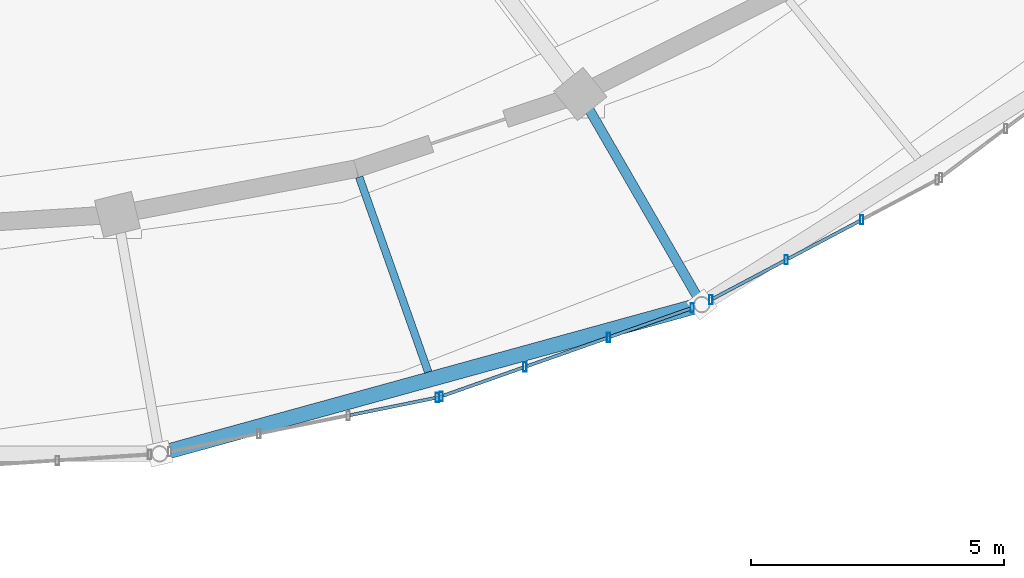
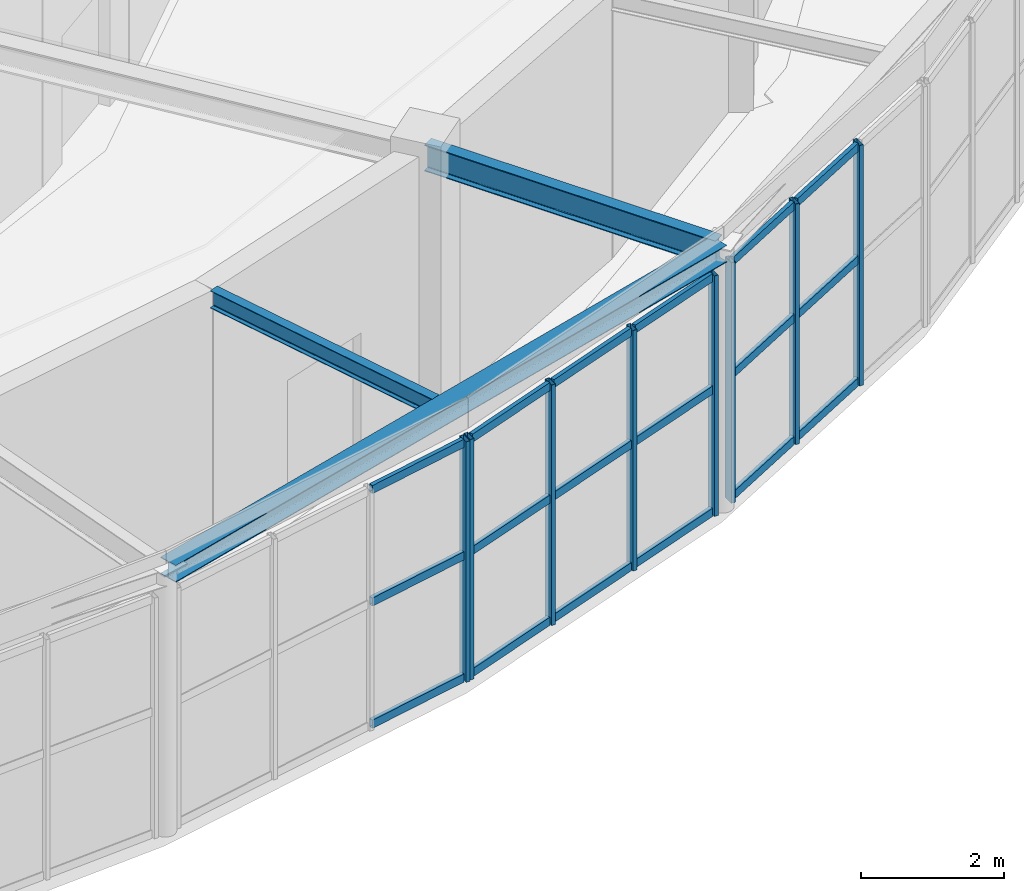
# One storey, part 40 of 108: 26 members, 3 beams, 3 elements without a shape of their own.
"""IFC4 building model written with IfcOpenShell, lengths in metres."""

from ifc_helpers import new_model, si_unit, direction, frame, origin, origin_2d, place, context, subcontext, project, spatial, hollow_rectangle, i_section, extrude, material, material_profile, profile_set, type_object, element, aggregate, save


model = new_model("IFC4")

# Units and contexts
model_context = context("Model", 3, precision=1e-05, world=origin(), true_north=direction((0.0, 1.0)))
body_context = subcontext(model_context, "Body", "Model", "MODEL_VIEW")
ifc_project = project(units=[si_unit("LENGTHUNIT", "METRE"), si_unit("AREAUNIT", "SQUARE_METRE"), si_unit("VOLUMEUNIT", "CUBIC_METRE"), si_unit("PLANEANGLEUNIT", "RADIAN"), si_unit("MASSUNIT", "GRAM", prefix="KILO")], contexts=[model_context])

# Site, building, storey
site_placement = place(None, origin())
site = spatial("IfcSite", under=ifc_project, at=site_placement, CompositionType="ELEMENT")
building_placement = place(site_placement, origin())
building = spatial("IfcBuilding", under=site, at=building_placement, Name="Tarnveldt Headland Concert Hall", CompositionType="ELEMENT")
storey_placement = place(building_placement, frame((0.0, 0.0, 9.60009765625)))
storey = spatial("IfcBuildingStorey", under=building, at=storey_placement, Name="L02", CompositionType="ELEMENT", Elevation=9.60009765625)

# Curtain wall, member
ifc_material_1 = material(Name="Marine-anodised aluminium EN AW-6063-T6", Category="aluminium")
curtain_wall_type = type_object("IfcCurtainWallType", Name="CW-F3", PredefinedType="NOTDEFINED", material=ifc_material_1)
curtain_wall_1_placement = place(storey_placement, origin())
curtain_wall_1 = element("IfcCurtainWall", 1, at=curtain_wall_1_placement, inside=storey, type_object=curtain_wall_type, Name="Curtain wall CW-L02-087", PredefinedType="NOTDEFINED")
ifc_material_profile_1 = material_profile(ifc_material_1, hollow_rectangle(XDim=0.06494140625, YDim=0.179931640625, WallThickness=0.00390625, at=origin_2d()), Name="ALU MULLION 65x180x4", Category="aluminium")
ifc_profile_set_1 = profile_set([ifc_material_profile_1], Name="Marine-anodised aluminium EN AW-6063-T6")
member_type_1 = type_object("IfcMemberType", Name="ML-180", PredefinedType="MULLION", material=ifc_profile_set_1)
member_1_placement = place(storey_placement, frame((94.67919921875, 31.187744140625, 0.0), z_axis=(0.0, 0.0, 1.0), x_axis=(1.0, 0.0, 0.0)))
member_1 = element("IfcMember", 2, at=member_1_placement, type_object=member_type_1, Name="Mullion CW-L02-087-4", PredefinedType="MULLION", context=body_context, shape_type="SweptSolid", body=[
    extrude(hollow_rectangle(XDim=0.06494140625, YDim=0.179931640625, WallThickness=0.00390625, at=origin_2d()), origin(), (0.0, 0.0, 1.0), 4.10791015625),
])

# Curtain wall, members
curtain_wall_2_placement = place(storey_placement, origin())
curtain_wall_2 = element("IfcCurtainWall", 3, at=curtain_wall_2_placement, inside=storey, type_object=curtain_wall_type, Name="Curtain wall CW-L02-088", PredefinedType="NOTDEFINED")
member_2_placement = place(storey_placement, frame((94.756103515625, 31.208984375, 0.0), z_axis=(0.0, 0.0, 1.0), x_axis=(1.0, 0.0, 0.0)))
member_2 = element("IfcMember", 4, at=member_2_placement, type_object=member_type_1, Name="Mullion CW-L02-088-1", PredefinedType="MULLION", context=body_context, shape_type="SweptSolid", body=[
    extrude(hollow_rectangle(XDim=0.06494140625, YDim=0.179931640625, WallThickness=0.00390625, at=origin_2d()), origin(), (0.0, 0.0, 1.0), 4.10791015625),
])
member_3_placement = place(storey_placement, frame((96.4072265625, 31.791015625, 0.0), z_axis=(0.0, 0.0, 1.0), x_axis=(1.0, 0.0, 0.0)))
member_3 = element("IfcMember", 5, at=member_3_placement, type_object=member_type_1, Name="Mullion CW-L02-088-2", PredefinedType="MULLION", context=body_context, shape_type="SweptSolid", body=[
    extrude(hollow_rectangle(XDim=0.06494140625, YDim=0.179931640625, WallThickness=0.00390625, at=origin_2d()), origin(), (0.0, 0.0, 1.0), 4.10791015625),
])
member_4_placement = place(storey_placement, frame((98.058349609375, 32.373291015625, 0.0), z_axis=(0.0, 0.0, 1.0), x_axis=(1.0, 0.0, 0.0)))
member_4 = element("IfcMember", 6, at=member_4_placement, type_object=member_type_1, Name="Mullion CW-L02-088-3", PredefinedType="MULLION", context=body_context, shape_type="SweptSolid", body=[
    extrude(hollow_rectangle(XDim=0.06494140625, YDim=0.179931640625, WallThickness=0.00390625, at=origin_2d()), origin(), (0.0, 0.0, 1.0), 4.10791015625),
])
member_5_placement = place(storey_placement, frame((99.70947265625, 32.955322265625, 0.0), z_axis=(0.0, 0.0, 1.0), x_axis=(1.0, 0.0, 0.0)))
member_5 = element("IfcMember", 7, at=member_5_placement, type_object=member_type_1, Name="Mullion CW-L02-088-4", PredefinedType="MULLION", context=body_context, shape_type="SweptSolid", body=[
    extrude(hollow_rectangle(XDim=0.06494140625, YDim=0.179931640625, WallThickness=0.00390625, at=origin_2d()), origin(), (0.0, 0.0, 1.0), 4.10791015625),
])

curtain_wall_3_placement = place(storey_placement, origin())
curtain_wall_3 = element("IfcCurtainWall", 8, at=curtain_wall_3_placement, inside=storey, type_object=curtain_wall_type, Name="Curtain wall CW-L02-089", PredefinedType="NOTDEFINED")
member_6_placement = place(storey_placement, frame((100.07861328125, 33.1171875, 0.0), z_axis=(0.0, 0.0, 1.0), x_axis=(1.0, 0.0, 0.0)))
member_6 = element("IfcMember", 9, at=member_6_placement, type_object=member_type_1, Name="Mullion CW-L02-089-1", PredefinedType="MULLION", context=body_context, shape_type="SweptSolid", body=[
    extrude(hollow_rectangle(XDim=0.06494140625, YDim=0.179931640625, WallThickness=0.00390625, at=origin_2d()), origin(), (0.0, 0.0, 1.0), 4.10791015625),
])
member_7_placement = place(storey_placement, frame((101.568359375, 33.906005859375, 0.0), z_axis=(0.0, 0.0, 1.0), x_axis=(1.0, 0.0, 0.0)))
member_7 = element("IfcMember", 10, at=member_7_placement, type_object=member_type_1, Name="Mullion CW-L02-089-2", PredefinedType="MULLION", context=body_context, shape_type="SweptSolid", body=[
    extrude(hollow_rectangle(XDim=0.06494140625, YDim=0.179931640625, WallThickness=0.00390625, at=origin_2d()), origin(), (0.0, 0.0, 1.0), 4.10791015625),
])
member_8_placement = place(storey_placement, frame((103.05810546875, 34.694580078125, 0.0), z_axis=(0.0, 0.0, 1.0), x_axis=(1.0, 0.0, 0.0)))
member_8 = element("IfcMember", 11, at=member_8_placement, type_object=member_type_1, Name="Mullion CW-L02-089-3", PredefinedType="MULLION", context=body_context, shape_type="SweptSolid", body=[
    extrude(hollow_rectangle(XDim=0.06494140625, YDim=0.179931640625, WallThickness=0.00390625, at=origin_2d()), origin(), (0.0, 0.0, 1.0), 4.10791015625),
])

# Beams
ifc_material_2 = material(Name="Steel S355", Category="steel")
ifc_material_profile_2 = material_profile(ifc_material_2, i_section(OverallWidth=0.300048828125, OverallDepth=0.2900390625, WebThickness=0.008544921875, FlangeThickness=0.013916015625, FilletRadius=0.027099609375, at=origin_2d()), Name="HEA300", Category="steel")
ifc_profile_set_2 = profile_set([ifc_material_profile_2], Name="Steel S355")
beam_type_1 = type_object("IfcBeamType", Name="SB-HEA300", PredefinedType="SPANDREL", material=ifc_profile_set_2)
beam_1_placement = place(storey_placement, frame((89.25341796875, 30.0927734375, 4.4248046875), z_axis=(0.964161617091, 0.265315616065, 0.0), x_axis=(-0.265315616065, 0.964161617091, 0.0)))
element("IfcBeam", 12, at=beam_1_placement, inside=storey, type_object=beam_type_1, Name="Framing beam L02-1037", PredefinedType="SPANDREL", context=body_context, shape_type="SweptSolid", body=[
    extrude(i_section(OverallWidth=0.300048828125, OverallDepth=0.2900390625, WebThickness=0.008544921875, FlangeThickness=0.013916015625, FilletRadius=0.027099609375, at=origin_2d()), origin(), (0.0, 0.0, 1.0), 10.982421875),
])
ifc_material_profile_3 = material_profile(ifc_material_2, i_section(OverallWidth=0.14990234375, OverallDepth=0.300048828125, WebThickness=0.007080078125, FlangeThickness=0.0107421875, FilletRadius=0.014892578125, at=origin_2d()), Name="IPE300", Category="steel")
ifc_profile_set_3 = profile_set([ifc_material_profile_3], Name="Steel S355")
beam_type_2 = type_object("IfcBeamType", Name="SB-IPE300", PredefinedType="JOIST", material=ifc_profile_set_3)
beam_2_placement = place(storey_placement, frame((93.135009765625, 35.541015625, 4.419921875), z_axis=(0.33369553072, -0.942680907188, 0.0), x_axis=(0.942680907188, 0.33369553072, 0.0)))
element("IfcBeam", 13, at=beam_2_placement, inside=storey, type_object=beam_type_2, Name="Framing beam L02-1039", PredefinedType="JOIST", context=body_context, shape_type="SweptSolid", body=[
    extrude(i_section(OverallWidth=0.14990234375, OverallDepth=0.300048828125, WebThickness=0.007080078125, FlangeThickness=0.0107421875, FilletRadius=0.014892578125, at=origin_2d()), origin(), (0.0, 0.0, 1.0), 4.083984375),
])
ifc_material_profile_4 = material_profile(ifc_material_2, i_section(OverallWidth=0.18994140625, OverallDepth=0.449951171875, WebThickness=0.009521484375, FlangeThickness=0.0146484375, FilletRadius=0.02099609375, at=origin_2d()), Name="IPE450", Category="steel")
ifc_profile_set_4 = profile_set([ifc_material_profile_4], Name="Steel S355")
beam_type_3 = type_object("IfcBeamType", Name="SB-IPE450", PredefinedType="BEAM", material=ifc_profile_set_4)
beam_3_placement = place(storey_placement, frame((97.52001953125, 37.14501953125, 4.344970703125), z_axis=(0.500016218704, -0.866016039709, 0.0), x_axis=(0.866016039709, 0.500016218704, 0.0)))
element("IfcBeam", 14, at=beam_3_placement, inside=storey, type_object=beam_type_3, Name="Framing beam L02-1041", PredefinedType="BEAM", context=body_context, shape_type="SweptSolid", body=[
    extrude(i_section(OverallWidth=0.18994140625, OverallDepth=0.449951171875, WebThickness=0.009521484375, FlangeThickness=0.0146484375, FilletRadius=0.02099609375, at=origin_2d()), origin(), (0.0, 0.0, 1.0), 4.699951171875),
])

# Member
ifc_material_profile_5 = material_profile(ifc_material_1, hollow_rectangle(XDim=0.06494140625, YDim=0.139892578125, WallThickness=0.00390625, at=origin_2d()), Name="ALU TRANSOM 65x140x4", Category="aluminium")
ifc_profile_set_5 = profile_set([ifc_material_profile_5], Name="Marine-anodised aluminium EN AW-6063-T6")
member_type_2 = type_object("IfcMemberType", Name="TR-140", PredefinedType="MEMBER", material=ifc_profile_set_5)
member_9_placement = place(storey_placement, frame((92.9609375, 30.839599609375, 0.0498046875), z_axis=(0.980077374986, 0.198616059372, 0.0), x_axis=(-0.198616059372, 0.980077374986, 0.0)))
member_9 = element("IfcMember", 15, at=member_9_placement, type_object=member_type_2, Name="Transom CW-L02-087-3-1", PredefinedType="MEMBER", context=body_context, shape_type="SweptSolid", body=[
    extrude(hollow_rectangle(XDim=0.06494140625, YDim=0.139892578125, WallThickness=0.00390625, at=origin_2d()), origin(), (0.0, 0.0, 1.0), 1.70849609375),
])

member_10_placement = place(storey_placement, frame((92.9609375, 30.839599609375, 2.135986328125), z_axis=(0.980077374986, 0.198616059372, 0.0), x_axis=(-0.198616059372, 0.980077374986, 0.0)))
member_10 = element("IfcMember", 16, at=member_10_placement, type_object=member_type_2, Name="Transom CW-L02-087-3-2", PredefinedType="MEMBER", context=body_context, shape_type="SweptSolid", body=[
    extrude(hollow_rectangle(XDim=0.06494140625, YDim=0.139892578125, WallThickness=0.00390625, at=origin_2d()), origin(), (0.0, 0.0, 1.0), 1.70849609375),
])

member_11_placement = place(storey_placement, frame((92.9609375, 30.839599609375, 4.057861328125), z_axis=(0.980077374986, 0.198616059372, 0.0), x_axis=(-0.198616059372, 0.980077374986, 0.0)))
member_11 = element("IfcMember", 17, at=member_11_placement, type_object=member_type_2, Name="Transom CW-L02-087-3-3", PredefinedType="MEMBER", context=body_context, shape_type="SweptSolid", body=[
    extrude(hollow_rectangle(XDim=0.06494140625, YDim=0.139892578125, WallThickness=0.00390625, at=origin_2d()), origin(), (0.0, 0.0, 1.0), 1.70849609375),
])

aggregate(curtain_wall_1, [member_1, member_9, member_10, member_11])

member_12_placement = place(storey_placement, frame((94.798095703125, 31.2236328125, 0.0498046875), z_axis=(0.94306083262, 0.332620303015, 0.0), x_axis=(-0.332620303015, 0.94306083262, 0.0)))
member_12 = element("IfcMember", 18, at=member_12_placement, type_object=member_type_2, Name="Transom CW-L02-088-1-1", PredefinedType="MEMBER", context=body_context, shape_type="SweptSolid", body=[
    extrude(hollow_rectangle(XDim=0.06494140625, YDim=0.139892578125, WallThickness=0.00390625, at=origin_2d()), origin(), (0.0, 0.0, 1.0), 1.661865234375),
])

member_13_placement = place(storey_placement, frame((94.798095703125, 31.2236328125, 2.135986328125), z_axis=(0.94306083262, 0.332620303015, 0.0), x_axis=(-0.332620303015, 0.94306083262, 0.0)))
member_13 = element("IfcMember", 19, at=member_13_placement, type_object=member_type_2, Name="Transom CW-L02-088-1-2", PredefinedType="MEMBER", context=body_context, shape_type="SweptSolid", body=[
    extrude(hollow_rectangle(XDim=0.06494140625, YDim=0.139892578125, WallThickness=0.00390625, at=origin_2d()), origin(), (0.0, 0.0, 1.0), 1.661865234375),
])

member_14_placement = place(storey_placement, frame((94.798095703125, 31.2236328125, 4.057861328125), z_axis=(0.94306083262, 0.332620303015, 0.0), x_axis=(-0.332620303015, 0.94306083262, 0.0)))
member_14 = element("IfcMember", 20, at=member_14_placement, type_object=member_type_2, Name="Transom CW-L02-088-1-3", PredefinedType="MEMBER", context=body_context, shape_type="SweptSolid", body=[
    extrude(hollow_rectangle(XDim=0.06494140625, YDim=0.139892578125, WallThickness=0.00390625, at=origin_2d()), origin(), (0.0, 0.0, 1.0), 1.661865234375),
])

member_15_placement = place(storey_placement, frame((96.44921875, 31.805908203125, 0.0498046875), z_axis=(0.943106910947, 0.332489630702, 0.0), x_axis=(-0.332489630702, 0.943106910947, 0.0)))
member_15 = element("IfcMember", 21, at=member_15_placement, type_object=member_type_2, Name="Transom CW-L02-088-2-1", PredefinedType="MEMBER", context=body_context, shape_type="SweptSolid", body=[
    extrude(hollow_rectangle(XDim=0.06494140625, YDim=0.139892578125, WallThickness=0.00390625, at=origin_2d()), origin(), (0.0, 0.0, 1.0), 1.66162109375),
])

member_16_placement = place(storey_placement, frame((96.44921875, 31.805908203125, 2.135986328125), z_axis=(0.943106910947, 0.332489630702, 0.0), x_axis=(-0.332489630702, 0.943106910947, 0.0)))
member_16 = element("IfcMember", 22, at=member_16_placement, type_object=member_type_2, Name="Transom CW-L02-088-2-2", PredefinedType="MEMBER", context=body_context, shape_type="SweptSolid", body=[
    extrude(hollow_rectangle(XDim=0.06494140625, YDim=0.139892578125, WallThickness=0.00390625, at=origin_2d()), origin(), (0.0, 0.0, 1.0), 1.66162109375),
])

member_17_placement = place(storey_placement, frame((96.44921875, 31.805908203125, 4.057861328125), z_axis=(0.943106910947, 0.332489630702, 0.0), x_axis=(-0.332489630702, 0.943106910947, 0.0)))
member_17 = element("IfcMember", 23, at=member_17_placement, type_object=member_type_2, Name="Transom CW-L02-088-2-3", PredefinedType="MEMBER", context=body_context, shape_type="SweptSolid", body=[
    extrude(hollow_rectangle(XDim=0.06494140625, YDim=0.139892578125, WallThickness=0.00390625, at=origin_2d()), origin(), (0.0, 0.0, 1.0), 1.66162109375),
])

member_18_placement = place(storey_placement, frame((98.100341796875, 32.387939453125, 0.0498046875), z_axis=(0.94306083262, 0.332620303015, 0.0), x_axis=(-0.332620303015, 0.94306083262, 0.0)))
member_18 = element("IfcMember", 24, at=member_18_placement, type_object=member_type_2, Name="Transom CW-L02-088-3-1", PredefinedType="MEMBER", context=body_context, shape_type="SweptSolid", body=[
    extrude(hollow_rectangle(XDim=0.06494140625, YDim=0.139892578125, WallThickness=0.00390625, at=origin_2d()), origin(), (0.0, 0.0, 1.0), 1.661865234375),
])

member_19_placement = place(storey_placement, frame((98.100341796875, 32.387939453125, 2.135986328125), z_axis=(0.94306083262, 0.332620303015, 0.0), x_axis=(-0.332620303015, 0.94306083262, 0.0)))
member_19 = element("IfcMember", 25, at=member_19_placement, type_object=member_type_2, Name="Transom CW-L02-088-3-2", PredefinedType="MEMBER", context=body_context, shape_type="SweptSolid", body=[
    extrude(hollow_rectangle(XDim=0.06494140625, YDim=0.139892578125, WallThickness=0.00390625, at=origin_2d()), origin(), (0.0, 0.0, 1.0), 1.661865234375),
])

member_20_placement = place(storey_placement, frame((98.100341796875, 32.387939453125, 4.057861328125), z_axis=(0.94306083262, 0.332620303015, 0.0), x_axis=(-0.332620303015, 0.94306083262, 0.0)))
member_20 = element("IfcMember", 26, at=member_20_placement, type_object=member_type_2, Name="Transom CW-L02-088-3-3", PredefinedType="MEMBER", context=body_context, shape_type="SweptSolid", body=[
    extrude(hollow_rectangle(XDim=0.06494140625, YDim=0.139892578125, WallThickness=0.00390625, at=origin_2d()), origin(), (0.0, 0.0, 1.0), 1.661865234375),
])

aggregate(curtain_wall_2, [member_2, member_3, member_4, member_5, member_12, member_13, member_14, member_15, member_16, member_17, member_18, member_19, member_20])

member_21_placement = place(storey_placement, frame((100.117919921875, 33.137939453125, 0.0498046875), z_axis=(0.883787916347, 0.467887720419, 0.0), x_axis=(-0.467887720419, 0.883787916347, 0.0)))
member_21 = element("IfcMember", 27, at=member_21_placement, type_object=member_type_2, Name="Transom CW-L02-089-1-1", PredefinedType="MEMBER", context=body_context, shape_type="SweptSolid", body=[
    extrude(hollow_rectangle(XDim=0.06494140625, YDim=0.139892578125, WallThickness=0.00390625, at=origin_2d()), origin(), (0.0, 0.0, 1.0), 1.5966796875),
])

member_22_placement = place(storey_placement, frame((100.117919921875, 33.137939453125, 2.135986328125), z_axis=(0.883787916347, 0.467887720419, 0.0), x_axis=(-0.467887720419, 0.883787916347, 0.0)))
member_22 = element("IfcMember", 28, at=member_22_placement, type_object=member_type_2, Name="Transom CW-L02-089-1-2", PredefinedType="MEMBER", context=body_context, shape_type="SweptSolid", body=[
    extrude(hollow_rectangle(XDim=0.06494140625, YDim=0.139892578125, WallThickness=0.00390625, at=origin_2d()), origin(), (0.0, 0.0, 1.0), 1.5966796875),
])

member_23_placement = place(storey_placement, frame((100.117919921875, 33.137939453125, 4.057861328125), z_axis=(0.883787916347, 0.467887720419, 0.0), x_axis=(-0.467887720419, 0.883787916347, 0.0)))
member_23 = element("IfcMember", 29, at=member_23_placement, type_object=member_type_2, Name="Transom CW-L02-089-1-3", PredefinedType="MEMBER", context=body_context, shape_type="SweptSolid", body=[
    extrude(hollow_rectangle(XDim=0.06494140625, YDim=0.139892578125, WallThickness=0.00390625, at=origin_2d()), origin(), (0.0, 0.0, 1.0), 1.5966796875),
])

member_24_placement = place(storey_placement, frame((101.607666015625, 33.9267578125, 0.0498046875), z_axis=(0.883787916347, 0.467887720419, 0.0), x_axis=(-0.467887720419, 0.883787916347, 0.0)))
member_24 = element("IfcMember", 30, at=member_24_placement, type_object=member_type_2, Name="Transom CW-L02-089-2-1", PredefinedType="MEMBER", context=body_context, shape_type="SweptSolid", body=[
    extrude(hollow_rectangle(XDim=0.06494140625, YDim=0.139892578125, WallThickness=0.00390625, at=origin_2d()), origin(), (0.0, 0.0, 1.0), 1.5966796875),
])

member_25_placement = place(storey_placement, frame((101.607666015625, 33.9267578125, 2.135986328125), z_axis=(0.883787916347, 0.467887720419, 0.0), x_axis=(-0.467887720419, 0.883787916347, 0.0)))
member_25 = element("IfcMember", 31, at=member_25_placement, type_object=member_type_2, Name="Transom CW-L02-089-2-2", PredefinedType="MEMBER", context=body_context, shape_type="SweptSolid", body=[
    extrude(hollow_rectangle(XDim=0.06494140625, YDim=0.139892578125, WallThickness=0.00390625, at=origin_2d()), origin(), (0.0, 0.0, 1.0), 1.5966796875),
])

member_26_placement = place(storey_placement, frame((101.607666015625, 33.9267578125, 4.057861328125), z_axis=(0.883787916347, 0.467887720419, 0.0), x_axis=(-0.467887720419, 0.883787916347, 0.0)))
member_26 = element("IfcMember", 32, at=member_26_placement, type_object=member_type_2, Name="Transom CW-L02-089-2-3", PredefinedType="MEMBER", context=body_context, shape_type="SweptSolid", body=[
    extrude(hollow_rectangle(XDim=0.06494140625, YDim=0.139892578125, WallThickness=0.00390625, at=origin_2d()), origin(), (0.0, 0.0, 1.0), 1.5966796875),
])

aggregate(curtain_wall_3, [member_6, member_7, member_8, member_21, member_22, member_23, member_24, member_25, member_26])

save(model, "model.ifc")
